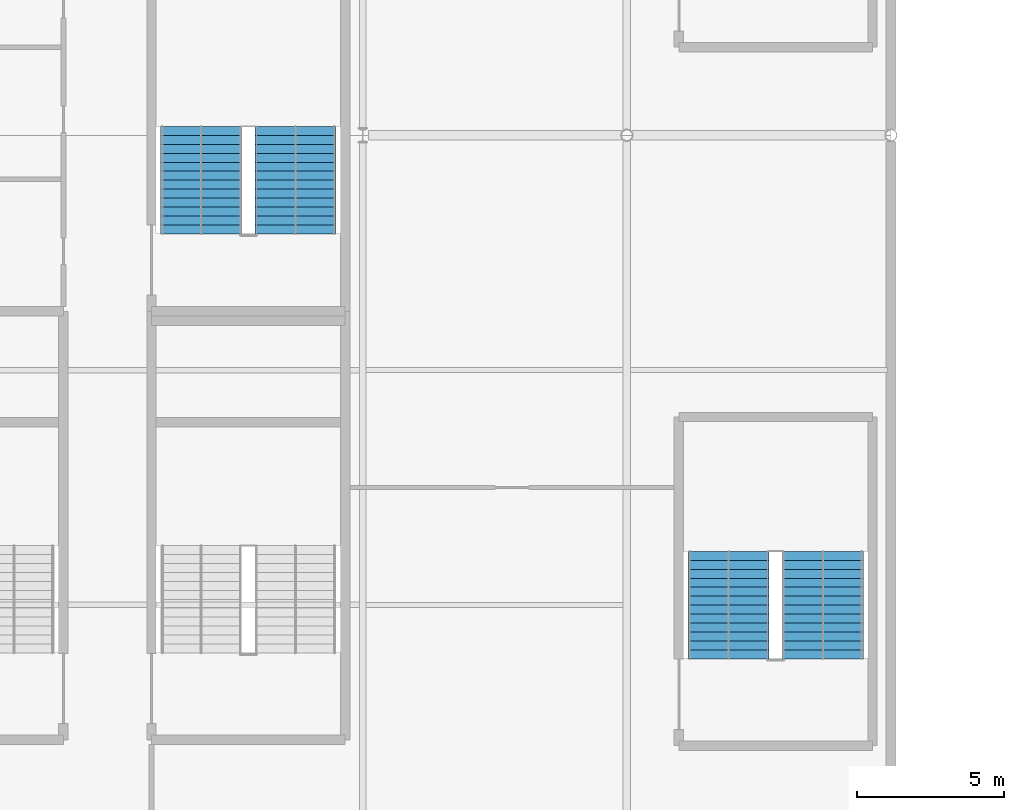
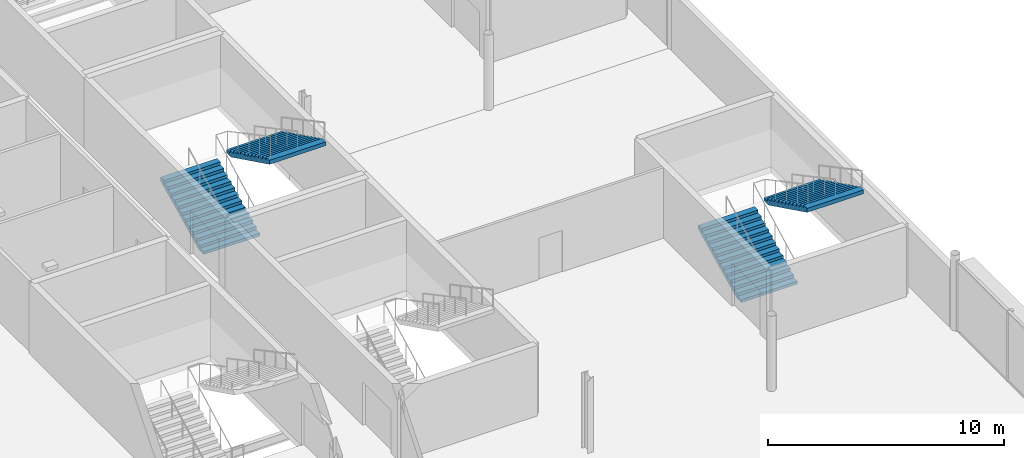
# One storey, part 81 of 96: 4 stair flights, 2 elements without a shape of their own.
"""IFC4 building model written with IfcOpenShell, lengths in metres."""

from ifc_helpers import new_model, si_unit, direction, frame, origin, place, context, subcontext, project, spatial, polygons, material, type_object, element, aggregate, save


model = new_model("IFC4")

# Units and contexts
model_context = context("Model", 3, precision=1e-05, world=origin(), true_north=direction((0.0, 1.0)))
body_context = subcontext(model_context, "Body", "Model", "MODEL_VIEW")
ifc_project = project(units=[si_unit("LENGTHUNIT", "METRE"), si_unit("AREAUNIT", "SQUARE_METRE"), si_unit("VOLUMEUNIT", "CUBIC_METRE"), si_unit("PLANEANGLEUNIT", "RADIAN"), si_unit("MASSUNIT", "GRAM", prefix="KILO")], contexts=[model_context])

# Site, building, storey
site_placement = place(None, origin())
site = spatial("IfcSite", under=ifc_project, at=site_placement, CompositionType="ELEMENT")
building_placement = place(site_placement, origin())
building = spatial("IfcBuilding", under=site, at=building_placement, Name="Kisiwana Market Hall", CompositionType="ELEMENT")
storey_placement = place(building_placement, frame((0.0, 0.0, 25.5)))
storey = spatial("IfcBuildingStorey", under=building, at=storey_placement, Name="L05", CompositionType="ELEMENT", Elevation=25.5)

# Stair, stair flights
ifc_material_1 = material(Name="Concrete C32/40", Category="concrete")
stair_type = type_object("IfcStairType", Name="ST-ESC-3900", PredefinedType="TWO_STRAIGHT_RUN_STAIR", material=ifc_material_1)
stair_1_placement = place(storey_placement, origin())
stair_1 = element("IfcStair", 1, at=stair_1_placement, inside=storey, type_object=stair_type, Name="Escape stair ST-W9-L05", PredefinedType="TWO_STRAIGHT_RUN_STAIR")
ifc_material_2 = material(Name="Concrete C32/40", Category="concrete")
stair_flight_type = type_object("IfcStairFlightType", Name="SF-ESC-3900", PredefinedType="STRAIGHT", material=ifc_material_2)
stair_flight_1_placement = place(storey_placement, frame((39.4599609375, 42.159912109375, 0.0), z_axis=(0.0, 0.0, 1.0), x_axis=(0.0, 1.0, 0.0)))
stair_flight_1 = element("IfcStairFlight", 2, at=stair_flight_1_placement, type_object=stair_flight_type, Name="ST-W9-L05 flight 1", NumberOfRisers=13, NumberOfTreads=12, PredefinedType="STRAIGHT", RiserHeight=0.15, TreadLength=0.305, context=body_context, shape_type="Tessellation", body=[
    polygons([(0.0, -1.380127, 0.0), (0.0, -0.690125, 0.0), (0.0, -0.000122, 0.0), (0.0, 0.68988, 0.0), (0.0, 1.379883, 0.0), (0.0, -1.380127, 0.149902), (0.0, -0.690125, 0.149902), (0.0, -0.000122, 0.149902), (0.0, 0.68988, 0.149902), (0.0, 1.379883, 0.149902), (0.304932, -1.380127, 0.149902), (0.304932, -0.690125, 0.149902), (0.304932, -0.000122, 0.149902), (0.304932, 0.68988, 0.149902), (0.304932, 1.379883, 0.149902), (0.304932, -1.380127, 0.300049), (0.304932, -0.690125, 0.300049), (0.304932, -0.000122, 0.300049), (0.304932, 0.68988, 0.300049), (0.304932, 1.379883, 0.300049), (0.610107, -1.380127, 0.300049), (0.610107, -0.690125, 0.300049), (0.610107, -0.000122, 0.300049), (0.610107, 0.68988, 0.300049), (0.610107, 1.379883, 0.300049), (0.610107, -1.380127, 0.449951), (0.610107, -0.690125, 0.449951), (0.610107, -0.000122, 0.449951), (0.610107, 0.68988, 0.449951), (0.610107, 1.379883, 0.449951), (0.915039, -1.380127, 0.449951), (0.915039, -0.690125, 0.449951), (0.915039, -0.000122, 0.449951), (0.915039, 0.68988, 0.449951), (0.915039, 1.379883, 0.449951), (0.915039, -1.380127, 0.600098), (0.915039, -0.690125, 0.600098), (0.915039, -0.000122, 0.600098), (0.915039, 0.68988, 0.600098), (0.915039, 1.379883, 0.600098), (1.219971, -1.380127, 0.600098), (1.219971, -0.690125, 0.600098), (1.219971, -0.000122, 0.600098), (1.219971, 0.68988, 0.600098), (1.219971, 1.379883, 0.600098), (1.219971, -1.380127, 0.75), (1.219971, -0.690125, 0.75), (1.219971, -0.000122, 0.75), (1.219971, 0.68988, 0.75), (1.219971, 1.379883, 0.75), (1.524902, -1.380127, 0.75), (1.524902, -0.690125, 0.75), (1.524902, -0.000122, 0.75), (1.524902, 0.68988, 0.75), (1.524902, 1.379883, 0.75), (1.524902, -1.380127, 0.899902), (1.524902, -0.690125, 0.899902), (1.524902, -0.000122, 0.899902), (1.524902, 0.68988, 0.899902), (1.524902, 1.379883, 0.899902), (1.830078, -1.380127, 0.899902), (1.830078, -0.690125, 0.899902), (1.830078, -0.000122, 0.899902), (1.830078, 0.68988, 0.899902), (1.830078, 1.379883, 0.899902), (1.830078, -1.380127, 1.050049), (1.830078, -0.690125, 1.050049), (1.830078, -0.000122, 1.050049), (1.830078, 0.68988, 1.050049), (1.830078, 1.379883, 1.050049), (2.13501, -1.380127, 1.050049), (2.13501, -0.690125, 1.050049), (2.13501, -0.000122, 1.050049), (2.13501, 0.68988, 1.050049), (2.13501, 1.379883, 1.050049), (2.13501, -1.380127, 1.199951), (2.13501, -0.690125, 1.199951), (2.13501, -0.000122, 1.199951), (2.13501, 0.68988, 1.199951), (2.13501, 1.379883, 1.199951), (2.439941, -1.380127, 1.199951), (2.439941, -0.690125, 1.199951), (2.439941, -0.000122, 1.199951), (2.439941, 0.68988, 1.199951), (2.439941, 1.379883, 1.199951), (2.439941, -1.380127, 1.350098), (2.439941, -0.690125, 1.350098), (2.439941, -0.000122, 1.350098), (2.439941, 0.68988, 1.350098), (2.439941, 1.379883, 1.350098), (2.745117, -1.380127, 1.350098), (2.745117, -0.690125, 1.350098), (2.745117, -0.000122, 1.350098), (2.745117, 0.68988, 1.350098), (2.745117, 1.379883, 1.350098), (2.745117, -1.380127, 1.5), (2.745117, -0.690125, 1.5), (2.745117, -0.000122, 1.5), (2.745117, 0.68988, 1.5), (2.745117, 1.379883, 1.5), (3.050049, -1.380127, 1.5), (3.050049, -0.690125, 1.5), (3.050049, -0.000122, 1.5), (3.050049, 0.68988, 1.5), (3.050049, 1.379883, 1.5), (3.050049, -1.380127, 1.649902), (3.050049, -0.690125, 1.649902), (3.050049, -0.000122, 1.649902), (3.050049, 0.68988, 1.649902), (3.050049, 1.379883, 1.649902), (3.35498, -1.380127, 1.649902), (3.35498, -0.690125, 1.649902), (3.35498, -0.000122, 1.649902), (3.35498, 0.68988, 1.649902), (3.35498, 1.379883, 1.649902), (3.35498, -1.380127, 1.800049), (3.35498, -0.690125, 1.800049), (3.35498, -0.000122, 1.800049), (3.35498, 0.68988, 1.800049), (3.35498, 1.379883, 1.800049), (3.659912, -1.380127, 1.800049), (3.659912, -0.690125, 1.800049), (3.659912, -0.000122, 1.800049), (3.659912, 0.68988, 1.800049), (3.659912, 1.379883, 1.800049), (3.659912, -1.380127, 1.599365), (3.659912, -0.690125, 1.599365), (3.659912, -0.000122, 1.599365), (3.659912, 0.68988, 1.599365), (3.659912, 1.379883, 1.599365), (0.407715, -1.380127, 0.0), (0.407715, -0.690125, 0.0), (0.407715, -0.000122, 0.0), (0.407715, 0.68988, 0.0), (0.407715, 1.379883, 0.0)], [[[1, 6, 7, 2]], [[2, 7, 8, 3]], [[3, 8, 9, 4]], [[4, 9, 10, 5]], [[6, 11, 12, 7]], [[7, 12, 13, 8]], [[8, 13, 14, 9]], [[9, 14, 15, 10]], [[11, 16, 17, 12]], [[12, 17, 18, 13]], [[13, 18, 19, 14]], [[14, 19, 20, 15]], [[16, 21, 22, 17]], [[17, 22, 23, 18]], [[18, 23, 24, 19]], [[19, 24, 25, 20]], [[21, 26, 27, 22]], [[22, 27, 28, 23]], [[23, 28, 29, 24]], [[24, 29, 30, 25]], [[26, 31, 32, 27]], [[27, 32, 33, 28]], [[28, 33, 34, 29]], [[29, 34, 35, 30]], [[31, 36, 37, 32]], [[32, 37, 38, 33]], [[33, 38, 39, 34]], [[34, 39, 40, 35]], [[36, 41, 42, 37]], [[37, 42, 43, 38]], [[38, 43, 44, 39]], [[39, 44, 45, 40]], [[41, 46, 47, 42]], [[42, 47, 48, 43]], [[43, 48, 49, 44]], [[44, 49, 50, 45]], [[46, 51, 52, 47]], [[47, 52, 53, 48]], [[48, 53, 54, 49]], [[49, 54, 55, 50]], [[51, 56, 57, 52]], [[52, 57, 58, 53]], [[53, 58, 59, 54]], [[54, 59, 60, 55]], [[56, 61, 62, 57]], [[57, 62, 63, 58]], [[58, 63, 64, 59]], [[59, 64, 65, 60]], [[61, 66, 67, 62]], [[62, 67, 68, 63]], [[63, 68, 69, 64]], [[64, 69, 70, 65]], [[66, 71, 72, 67]], [[67, 72, 73, 68]], [[68, 73, 74, 69]], [[69, 74, 75, 70]], [[71, 76, 77, 72]], [[72, 77, 78, 73]], [[73, 78, 79, 74]], [[74, 79, 80, 75]], [[76, 81, 82, 77]], [[77, 82, 83, 78]], [[78, 83, 84, 79]], [[79, 84, 85, 80]], [[81, 86, 87, 82]], [[82, 87, 88, 83]], [[83, 88, 89, 84]], [[84, 89, 90, 85]], [[86, 91, 92, 87]], [[87, 92, 93, 88]], [[88, 93, 94, 89]], [[89, 94, 95, 90]], [[91, 96, 97, 92]], [[92, 97, 98, 93]], [[93, 98, 99, 94]], [[94, 99, 100, 95]], [[96, 101, 102, 97]], [[97, 102, 103, 98]], [[98, 103, 104, 99]], [[99, 104, 105, 100]], [[101, 106, 107, 102]], [[102, 107, 108, 103]], [[103, 108, 109, 104]], [[104, 109, 110, 105]], [[106, 111, 112, 107]], [[107, 112, 113, 108]], [[108, 113, 114, 109]], [[109, 114, 115, 110]], [[111, 116, 117, 112]], [[112, 117, 118, 113]], [[113, 118, 119, 114]], [[114, 119, 120, 115]], [[116, 121, 122, 117]], [[117, 122, 123, 118]], [[118, 123, 124, 119]], [[119, 124, 125, 120]], [[121, 126, 127, 122]], [[122, 127, 128, 123]], [[123, 128, 129, 124]], [[124, 129, 130, 125]], [[126, 131, 132, 127]], [[127, 132, 133, 128]], [[128, 133, 134, 129]], [[129, 134, 135, 130]], [[131, 1, 2, 132]], [[132, 2, 3, 133]], [[133, 3, 4, 134]], [[134, 4, 5, 135]], [[131, 126, 121, 116, 111, 106, 101, 96, 91, 86, 81, 76, 71, 66, 61, 56, 51, 46, 41, 36, 31, 26, 21, 16, 11, 6, 1]], [[5, 10, 15, 20, 25, 30, 35, 40, 45, 50, 55, 60, 65, 70, 75, 80, 85, 90, 95, 100, 105, 110, 115, 120, 125, 130, 135]]], closed=True),
])
stair_flight_2_placement = place(storey_placement, frame((42.679931640625, 45.820068359375, 1.949951171875), z_axis=(0.0, 0.0, 1.0), x_axis=(0.0, -1.0, 0.0)))
stair_flight_2 = element("IfcStairFlight", 3, at=stair_flight_2_placement, type_object=stair_flight_type, Name="ST-W9-L05 flight 2", NumberOfRisers=13, NumberOfTreads=12, PredefinedType="STRAIGHT", RiserHeight=0.15, TreadLength=0.305, context=body_context, shape_type="Tessellation", body=[
    polygons([(0.0, -1.380127, 0.0), (0.0, -0.690125, 0.0), (0.0, -0.000122, 0.0), (0.0, 0.68988, 0.0), (0.0, 1.379883, 0.0), (0.0, -1.380127, 0.149902), (0.0, -0.690125, 0.149902), (0.0, -0.000122, 0.149902), (0.0, 0.68988, 0.149902), (0.0, 1.379883, 0.149902), (0.304932, -1.380127, 0.149902), (0.304932, -0.690125, 0.149902), (0.304932, -0.000122, 0.149902), (0.304932, 0.68988, 0.149902), (0.304932, 1.379883, 0.149902), (0.304932, -1.380127, 0.300049), (0.304932, -0.690125, 0.300049), (0.304932, -0.000122, 0.300049), (0.304932, 0.68988, 0.300049), (0.304932, 1.379883, 0.300049), (0.610107, -1.380127, 0.300049), (0.610107, -0.690125, 0.300049), (0.610107, -0.000122, 0.300049), (0.610107, 0.68988, 0.300049), (0.610107, 1.379883, 0.300049), (0.610107, -1.380127, 0.449951), (0.610107, -0.690125, 0.449951), (0.610107, -0.000122, 0.449951), (0.610107, 0.68988, 0.449951), (0.610107, 1.379883, 0.449951), (0.915039, -1.380127, 0.449951), (0.915039, -0.690125, 0.449951), (0.915039, -0.000122, 0.449951), (0.915039, 0.68988, 0.449951), (0.915039, 1.379883, 0.449951), (0.915039, -1.380127, 0.600098), (0.915039, -0.690125, 0.600098), (0.915039, -0.000122, 0.600098), (0.915039, 0.68988, 0.600098), (0.915039, 1.379883, 0.600098), (1.219971, -1.380127, 0.600098), (1.219971, -0.690125, 0.600098), (1.219971, -0.000122, 0.600098), (1.219971, 0.68988, 0.600098), (1.219971, 1.379883, 0.600098), (1.219971, -1.380127, 0.75), (1.219971, -0.690125, 0.75), (1.219971, -0.000122, 0.75), (1.219971, 0.68988, 0.75), (1.219971, 1.379883, 0.75), (1.524902, -1.380127, 0.75), (1.524902, -0.690125, 0.75), (1.524902, -0.000122, 0.75), (1.524902, 0.68988, 0.75), (1.524902, 1.379883, 0.75), (1.524902, -1.380127, 0.899902), (1.524902, -0.690125, 0.899902), (1.524902, -0.000122, 0.899902), (1.524902, 0.68988, 0.899902), (1.524902, 1.379883, 0.899902), (1.830078, -1.380127, 0.899902), (1.830078, -0.690125, 0.899902), (1.830078, -0.000122, 0.899902), (1.830078, 0.68988, 0.899902), (1.830078, 1.379883, 0.899902), (1.830078, -1.380127, 1.050049), (1.830078, -0.690125, 1.050049), (1.830078, -0.000122, 1.050049), (1.830078, 0.68988, 1.050049), (1.830078, 1.379883, 1.050049), (2.13501, -1.380127, 1.050049), (2.13501, -0.690125, 1.050049), (2.13501, -0.000122, 1.050049), (2.13501, 0.68988, 1.050049), (2.13501, 1.379883, 1.050049), (2.13501, -1.380127, 1.199951), (2.13501, -0.690125, 1.199951), (2.13501, -0.000122, 1.199951), (2.13501, 0.68988, 1.199951), (2.13501, 1.379883, 1.199951), (2.439941, -1.380127, 1.199951), (2.439941, -0.690125, 1.199951), (2.439941, -0.000122, 1.199951), (2.439941, 0.68988, 1.199951), (2.439941, 1.379883, 1.199951), (2.439941, -1.380127, 1.350098), (2.439941, -0.690125, 1.350098), (2.439941, -0.000122, 1.350098), (2.439941, 0.68988, 1.350098), (2.439941, 1.379883, 1.350098), (2.745117, -1.380127, 1.350098), (2.745117, -0.690125, 1.350098), (2.745117, -0.000122, 1.350098), (2.745117, 0.68988, 1.350098), (2.745117, 1.379883, 1.350098), (2.745117, -1.380127, 1.5), (2.745117, -0.690125, 1.5), (2.745117, -0.000122, 1.5), (2.745117, 0.68988, 1.5), (2.745117, 1.379883, 1.5), (3.050049, -1.380127, 1.5), (3.050049, -0.690125, 1.5), (3.050049, -0.000122, 1.5), (3.050049, 0.68988, 1.5), (3.050049, 1.379883, 1.5), (3.050049, -1.380127, 1.649902), (3.050049, -0.690125, 1.649902), (3.050049, -0.000122, 1.649902), (3.050049, 0.68988, 1.649902), (3.050049, 1.379883, 1.649902), (3.35498, -1.380127, 1.649902), (3.35498, -0.690125, 1.649902), (3.35498, -0.000122, 1.649902), (3.35498, 0.68988, 1.649902), (3.35498, 1.379883, 1.649902), (3.35498, -1.380127, 1.800049), (3.35498, -0.690125, 1.800049), (3.35498, -0.000122, 1.800049), (3.35498, 0.68988, 1.800049), (3.35498, 1.379883, 1.800049), (3.659912, -1.380127, 1.800049), (3.659912, -0.690125, 1.800049), (3.659912, -0.000122, 1.800049), (3.659912, 0.68988, 1.800049), (3.659912, 1.379883, 1.800049), (3.659912, -1.380127, 1.599365), (3.659912, -0.690125, 1.599365), (3.659912, -0.000122, 1.599365), (3.659912, 0.68988, 1.599365), (3.659912, 1.379883, 1.599365), (0.407715, -1.380127, 0.0), (0.407715, -0.690125, 0.0), (0.407715, -0.000122, 0.0), (0.407715, 0.68988, 0.0), (0.407715, 1.379883, 0.0)], [[[1, 6, 7, 2]], [[2, 7, 8, 3]], [[3, 8, 9, 4]], [[4, 9, 10, 5]], [[6, 11, 12, 7]], [[7, 12, 13, 8]], [[8, 13, 14, 9]], [[9, 14, 15, 10]], [[11, 16, 17, 12]], [[12, 17, 18, 13]], [[13, 18, 19, 14]], [[14, 19, 20, 15]], [[16, 21, 22, 17]], [[17, 22, 23, 18]], [[18, 23, 24, 19]], [[19, 24, 25, 20]], [[21, 26, 27, 22]], [[22, 27, 28, 23]], [[23, 28, 29, 24]], [[24, 29, 30, 25]], [[26, 31, 32, 27]], [[27, 32, 33, 28]], [[28, 33, 34, 29]], [[29, 34, 35, 30]], [[31, 36, 37, 32]], [[32, 37, 38, 33]], [[33, 38, 39, 34]], [[34, 39, 40, 35]], [[36, 41, 42, 37]], [[37, 42, 43, 38]], [[38, 43, 44, 39]], [[39, 44, 45, 40]], [[41, 46, 47, 42]], [[42, 47, 48, 43]], [[43, 48, 49, 44]], [[44, 49, 50, 45]], [[46, 51, 52, 47]], [[47, 52, 53, 48]], [[48, 53, 54, 49]], [[49, 54, 55, 50]], [[51, 56, 57, 52]], [[52, 57, 58, 53]], [[53, 58, 59, 54]], [[54, 59, 60, 55]], [[56, 61, 62, 57]], [[57, 62, 63, 58]], [[58, 63, 64, 59]], [[59, 64, 65, 60]], [[61, 66, 67, 62]], [[62, 67, 68, 63]], [[63, 68, 69, 64]], [[64, 69, 70, 65]], [[66, 71, 72, 67]], [[67, 72, 73, 68]], [[68, 73, 74, 69]], [[69, 74, 75, 70]], [[71, 76, 77, 72]], [[72, 77, 78, 73]], [[73, 78, 79, 74]], [[74, 79, 80, 75]], [[76, 81, 82, 77]], [[77, 82, 83, 78]], [[78, 83, 84, 79]], [[79, 84, 85, 80]], [[81, 86, 87, 82]], [[82, 87, 88, 83]], [[83, 88, 89, 84]], [[84, 89, 90, 85]], [[86, 91, 92, 87]], [[87, 92, 93, 88]], [[88, 93, 94, 89]], [[89, 94, 95, 90]], [[91, 96, 97, 92]], [[92, 97, 98, 93]], [[93, 98, 99, 94]], [[94, 99, 100, 95]], [[96, 101, 102, 97]], [[97, 102, 103, 98]], [[98, 103, 104, 99]], [[99, 104, 105, 100]], [[101, 106, 107, 102]], [[102, 107, 108, 103]], [[103, 108, 109, 104]], [[104, 109, 110, 105]], [[106, 111, 112, 107]], [[107, 112, 113, 108]], [[108, 113, 114, 109]], [[109, 114, 115, 110]], [[111, 116, 117, 112]], [[112, 117, 118, 113]], [[113, 118, 119, 114]], [[114, 119, 120, 115]], [[116, 121, 122, 117]], [[117, 122, 123, 118]], [[118, 123, 124, 119]], [[119, 124, 125, 120]], [[121, 126, 127, 122]], [[122, 127, 128, 123]], [[123, 128, 129, 124]], [[124, 129, 130, 125]], [[126, 131, 132, 127]], [[127, 132, 133, 128]], [[128, 133, 134, 129]], [[129, 134, 135, 130]], [[131, 1, 2, 132]], [[132, 2, 3, 133]], [[133, 3, 4, 134]], [[134, 4, 5, 135]], [[131, 126, 121, 116, 111, 106, 101, 96, 91, 86, 81, 76, 71, 66, 61, 56, 51, 46, 41, 36, 31, 26, 21, 16, 11, 6, 1]], [[5, 10, 15, 20, 25, 30, 35, 40, 45, 50, 55, 60, 65, 70, 75, 80, 85, 90, 95, 100, 105, 110, 115, 120, 125, 130, 135]]], closed=True),
])
aggregate(stair_1, [stair_flight_1, stair_flight_2])

stair_2_placement = place(storey_placement, origin())
stair_2 = element("IfcStair", 4, at=stair_2_placement, inside=storey, type_object=stair_type, Name="Escape stair ST-W5-L05", PredefinedType="TWO_STRAIGHT_RUN_STAIR")
stair_flight_3_placement = place(storey_placement, frame((21.489990234375, 56.639892578125, 0.0), z_axis=(0.0, 0.0, 1.0), x_axis=(0.0, 1.0, 0.0)))
stair_flight_3 = element("IfcStairFlight", 5, at=stair_flight_3_placement, type_object=stair_flight_type, Name="ST-W5-L05 flight 1", NumberOfRisers=13, NumberOfTreads=12, PredefinedType="STRAIGHT", RiserHeight=0.15, TreadLength=0.305, context=body_context, shape_type="Tessellation", body=[
    polygons([(0.0, -1.380127, 0.0), (0.0, -0.690125, 0.0), (0.0, -0.000122, 0.0), (0.0, 0.68988, 0.0), (0.0, 1.379883, 0.0), (0.0, -1.380127, 0.149902), (0.0, -0.690125, 0.149902), (0.0, -0.000122, 0.149902), (0.0, 0.68988, 0.149902), (0.0, 1.379883, 0.149902), (0.304932, -1.380127, 0.149902), (0.304932, -0.690125, 0.149902), (0.304932, -0.000122, 0.149902), (0.304932, 0.68988, 0.149902), (0.304932, 1.379883, 0.149902), (0.304932, -1.380127, 0.300049), (0.304932, -0.690125, 0.300049), (0.304932, -0.000122, 0.300049), (0.304932, 0.68988, 0.300049), (0.304932, 1.379883, 0.300049), (0.610107, -1.380127, 0.300049), (0.610107, -0.690125, 0.300049), (0.610107, -0.000122, 0.300049), (0.610107, 0.68988, 0.300049), (0.610107, 1.379883, 0.300049), (0.610107, -1.380127, 0.449951), (0.610107, -0.690125, 0.449951), (0.610107, -0.000122, 0.449951), (0.610107, 0.68988, 0.449951), (0.610107, 1.379883, 0.449951), (0.915039, -1.380127, 0.449951), (0.915039, -0.690125, 0.449951), (0.915039, -0.000122, 0.449951), (0.915039, 0.68988, 0.449951), (0.915039, 1.379883, 0.449951), (0.915039, -1.380127, 0.600098), (0.915039, -0.690125, 0.600098), (0.915039, -0.000122, 0.600098), (0.915039, 0.68988, 0.600098), (0.915039, 1.379883, 0.600098), (1.219971, -1.380127, 0.600098), (1.219971, -0.690125, 0.600098), (1.219971, -0.000122, 0.600098), (1.219971, 0.68988, 0.600098), (1.219971, 1.379883, 0.600098), (1.219971, -1.380127, 0.75), (1.219971, -0.690125, 0.75), (1.219971, -0.000122, 0.75), (1.219971, 0.68988, 0.75), (1.219971, 1.379883, 0.75), (1.524902, -1.380127, 0.75), (1.524902, -0.690125, 0.75), (1.524902, -0.000122, 0.75), (1.524902, 0.68988, 0.75), (1.524902, 1.379883, 0.75), (1.524902, -1.380127, 0.899902), (1.524902, -0.690125, 0.899902), (1.524902, -0.000122, 0.899902), (1.524902, 0.68988, 0.899902), (1.524902, 1.379883, 0.899902), (1.830078, -1.380127, 0.899902), (1.830078, -0.690125, 0.899902), (1.830078, -0.000122, 0.899902), (1.830078, 0.68988, 0.899902), (1.830078, 1.379883, 0.899902), (1.830078, -1.380127, 1.050049), (1.830078, -0.690125, 1.050049), (1.830078, -0.000122, 1.050049), (1.830078, 0.68988, 1.050049), (1.830078, 1.379883, 1.050049), (2.13501, -1.380127, 1.050049), (2.13501, -0.690125, 1.050049), (2.13501, -0.000122, 1.050049), (2.13501, 0.68988, 1.050049), (2.13501, 1.379883, 1.050049), (2.13501, -1.380127, 1.199951), (2.13501, -0.690125, 1.199951), (2.13501, -0.000122, 1.199951), (2.13501, 0.68988, 1.199951), (2.13501, 1.379883, 1.199951), (2.439941, -1.380127, 1.199951), (2.439941, -0.690125, 1.199951), (2.439941, -0.000122, 1.199951), (2.439941, 0.68988, 1.199951), (2.439941, 1.379883, 1.199951), (2.439941, -1.380127, 1.350098), (2.439941, -0.690125, 1.350098), (2.439941, -0.000122, 1.350098), (2.439941, 0.68988, 1.350098), (2.439941, 1.379883, 1.350098), (2.745117, -1.380127, 1.350098), (2.745117, -0.690125, 1.350098), (2.745117, -0.000122, 1.350098), (2.745117, 0.68988, 1.350098), (2.745117, 1.379883, 1.350098), (2.745117, -1.380127, 1.5), (2.745117, -0.690125, 1.5), (2.745117, -0.000122, 1.5), (2.745117, 0.68988, 1.5), (2.745117, 1.379883, 1.5), (3.050049, -1.380127, 1.5), (3.050049, -0.690125, 1.5), (3.050049, -0.000122, 1.5), (3.050049, 0.68988, 1.5), (3.050049, 1.379883, 1.5), (3.050049, -1.380127, 1.649902), (3.050049, -0.690125, 1.649902), (3.050049, -0.000122, 1.649902), (3.050049, 0.68988, 1.649902), (3.050049, 1.379883, 1.649902), (3.35498, -1.380127, 1.649902), (3.35498, -0.690125, 1.649902), (3.35498, -0.000122, 1.649902), (3.35498, 0.68988, 1.649902), (3.35498, 1.379883, 1.649902), (3.35498, -1.380127, 1.800049), (3.35498, -0.690125, 1.800049), (3.35498, -0.000122, 1.800049), (3.35498, 0.68988, 1.800049), (3.35498, 1.379883, 1.800049), (3.659912, -1.380127, 1.800049), (3.659912, -0.690125, 1.800049), (3.659912, -0.000122, 1.800049), (3.659912, 0.68988, 1.800049), (3.659912, 1.379883, 1.800049), (3.659912, -1.380127, 1.599365), (3.659912, -0.690125, 1.599365), (3.659912, -0.000122, 1.599365), (3.659912, 0.68988, 1.599365), (3.659912, 1.379883, 1.599365), (0.407715, -1.380127, 0.0), (0.407715, -0.690125, 0.0), (0.407715, -0.000122, 0.0), (0.407715, 0.68988, 0.0), (0.407715, 1.379883, 0.0)], [[[1, 6, 7, 2]], [[2, 7, 8, 3]], [[3, 8, 9, 4]], [[4, 9, 10, 5]], [[6, 11, 12, 7]], [[7, 12, 13, 8]], [[8, 13, 14, 9]], [[9, 14, 15, 10]], [[11, 16, 17, 12]], [[12, 17, 18, 13]], [[13, 18, 19, 14]], [[14, 19, 20, 15]], [[16, 21, 22, 17]], [[17, 22, 23, 18]], [[18, 23, 24, 19]], [[19, 24, 25, 20]], [[21, 26, 27, 22]], [[22, 27, 28, 23]], [[23, 28, 29, 24]], [[24, 29, 30, 25]], [[26, 31, 32, 27]], [[27, 32, 33, 28]], [[28, 33, 34, 29]], [[29, 34, 35, 30]], [[31, 36, 37, 32]], [[32, 37, 38, 33]], [[33, 38, 39, 34]], [[34, 39, 40, 35]], [[36, 41, 42, 37]], [[37, 42, 43, 38]], [[38, 43, 44, 39]], [[39, 44, 45, 40]], [[41, 46, 47, 42]], [[42, 47, 48, 43]], [[43, 48, 49, 44]], [[44, 49, 50, 45]], [[46, 51, 52, 47]], [[47, 52, 53, 48]], [[48, 53, 54, 49]], [[49, 54, 55, 50]], [[51, 56, 57, 52]], [[52, 57, 58, 53]], [[53, 58, 59, 54]], [[54, 59, 60, 55]], [[56, 61, 62, 57]], [[57, 62, 63, 58]], [[58, 63, 64, 59]], [[59, 64, 65, 60]], [[61, 66, 67, 62]], [[62, 67, 68, 63]], [[63, 68, 69, 64]], [[64, 69, 70, 65]], [[66, 71, 72, 67]], [[67, 72, 73, 68]], [[68, 73, 74, 69]], [[69, 74, 75, 70]], [[71, 76, 77, 72]], [[72, 77, 78, 73]], [[73, 78, 79, 74]], [[74, 79, 80, 75]], [[76, 81, 82, 77]], [[77, 82, 83, 78]], [[78, 83, 84, 79]], [[79, 84, 85, 80]], [[81, 86, 87, 82]], [[82, 87, 88, 83]], [[83, 88, 89, 84]], [[84, 89, 90, 85]], [[86, 91, 92, 87]], [[87, 92, 93, 88]], [[88, 93, 94, 89]], [[89, 94, 95, 90]], [[91, 96, 97, 92]], [[92, 97, 98, 93]], [[93, 98, 99, 94]], [[94, 99, 100, 95]], [[96, 101, 102, 97]], [[97, 102, 103, 98]], [[98, 103, 104, 99]], [[99, 104, 105, 100]], [[101, 106, 107, 102]], [[102, 107, 108, 103]], [[103, 108, 109, 104]], [[104, 109, 110, 105]], [[106, 111, 112, 107]], [[107, 112, 113, 108]], [[108, 113, 114, 109]], [[109, 114, 115, 110]], [[111, 116, 117, 112]], [[112, 117, 118, 113]], [[113, 118, 119, 114]], [[114, 119, 120, 115]], [[116, 121, 122, 117]], [[117, 122, 123, 118]], [[118, 123, 124, 119]], [[119, 124, 125, 120]], [[121, 126, 127, 122]], [[122, 127, 128, 123]], [[123, 128, 129, 124]], [[124, 129, 130, 125]], [[126, 131, 132, 127]], [[127, 132, 133, 128]], [[128, 133, 134, 129]], [[129, 134, 135, 130]], [[131, 1, 2, 132]], [[132, 2, 3, 133]], [[133, 3, 4, 134]], [[134, 4, 5, 135]], [[131, 126, 121, 116, 111, 106, 101, 96, 91, 86, 81, 76, 71, 66, 61, 56, 51, 46, 41, 36, 31, 26, 21, 16, 11, 6, 1]], [[5, 10, 15, 20, 25, 30, 35, 40, 45, 50, 55, 60, 65, 70, 75, 80, 85, 90, 95, 100, 105, 110, 115, 120, 125, 130, 135]]], closed=True),
])
stair_flight_4_placement = place(storey_placement, frame((24.7099609375, 60.300048828125, 1.949951171875), z_axis=(0.0, 0.0, 1.0), x_axis=(0.0, -1.0, 0.0)))
stair_flight_4 = element("IfcStairFlight", 6, at=stair_flight_4_placement, type_object=stair_flight_type, Name="ST-W5-L05 flight 2", NumberOfRisers=13, NumberOfTreads=12, PredefinedType="STRAIGHT", RiserHeight=0.15, TreadLength=0.305, context=body_context, shape_type="Tessellation", body=[
    polygons([(0.0, -1.380127, 0.0), (0.0, -0.690125, 0.0), (0.0, -0.000122, 0.0), (0.0, 0.68988, 0.0), (0.0, 1.379883, 0.0), (0.0, -1.380127, 0.149902), (0.0, -0.690125, 0.149902), (0.0, -0.000122, 0.149902), (0.0, 0.68988, 0.149902), (0.0, 1.379883, 0.149902), (0.304932, -1.380127, 0.149902), (0.304932, -0.690125, 0.149902), (0.304932, -0.000122, 0.149902), (0.304932, 0.68988, 0.149902), (0.304932, 1.379883, 0.149902), (0.304932, -1.380127, 0.300049), (0.304932, -0.690125, 0.300049), (0.304932, -0.000122, 0.300049), (0.304932, 0.68988, 0.300049), (0.304932, 1.379883, 0.300049), (0.610107, -1.380127, 0.300049), (0.610107, -0.690125, 0.300049), (0.610107, -0.000122, 0.300049), (0.610107, 0.68988, 0.300049), (0.610107, 1.379883, 0.300049), (0.610107, -1.380127, 0.449951), (0.610107, -0.690125, 0.449951), (0.610107, -0.000122, 0.449951), (0.610107, 0.68988, 0.449951), (0.610107, 1.379883, 0.449951), (0.915039, -1.380127, 0.449951), (0.915039, -0.690125, 0.449951), (0.915039, -0.000122, 0.449951), (0.915039, 0.68988, 0.449951), (0.915039, 1.379883, 0.449951), (0.915039, -1.380127, 0.600098), (0.915039, -0.690125, 0.600098), (0.915039, -0.000122, 0.600098), (0.915039, 0.68988, 0.600098), (0.915039, 1.379883, 0.600098), (1.219971, -1.380127, 0.600098), (1.219971, -0.690125, 0.600098), (1.219971, -0.000122, 0.600098), (1.219971, 0.68988, 0.600098), (1.219971, 1.379883, 0.600098), (1.219971, -1.380127, 0.75), (1.219971, -0.690125, 0.75), (1.219971, -0.000122, 0.75), (1.219971, 0.68988, 0.75), (1.219971, 1.379883, 0.75), (1.524902, -1.380127, 0.75), (1.524902, -0.690125, 0.75), (1.524902, -0.000122, 0.75), (1.524902, 0.68988, 0.75), (1.524902, 1.379883, 0.75), (1.524902, -1.380127, 0.899902), (1.524902, -0.690125, 0.899902), (1.524902, -0.000122, 0.899902), (1.524902, 0.68988, 0.899902), (1.524902, 1.379883, 0.899902), (1.830078, -1.380127, 0.899902), (1.830078, -0.690125, 0.899902), (1.830078, -0.000122, 0.899902), (1.830078, 0.68988, 0.899902), (1.830078, 1.379883, 0.899902), (1.830078, -1.380127, 1.050049), (1.830078, -0.690125, 1.050049), (1.830078, -0.000122, 1.050049), (1.830078, 0.68988, 1.050049), (1.830078, 1.379883, 1.050049), (2.13501, -1.380127, 1.050049), (2.13501, -0.690125, 1.050049), (2.13501, -0.000122, 1.050049), (2.13501, 0.68988, 1.050049), (2.13501, 1.379883, 1.050049), (2.13501, -1.380127, 1.199951), (2.13501, -0.690125, 1.199951), (2.13501, -0.000122, 1.199951), (2.13501, 0.68988, 1.199951), (2.13501, 1.379883, 1.199951), (2.439941, -1.380127, 1.199951), (2.439941, -0.690125, 1.199951), (2.439941, -0.000122, 1.199951), (2.439941, 0.68988, 1.199951), (2.439941, 1.379883, 1.199951), (2.439941, -1.380127, 1.350098), (2.439941, -0.690125, 1.350098), (2.439941, -0.000122, 1.350098), (2.439941, 0.68988, 1.350098), (2.439941, 1.379883, 1.350098), (2.745117, -1.380127, 1.350098), (2.745117, -0.690125, 1.350098), (2.745117, -0.000122, 1.350098), (2.745117, 0.68988, 1.350098), (2.745117, 1.379883, 1.350098), (2.745117, -1.380127, 1.5), (2.745117, -0.690125, 1.5), (2.745117, -0.000122, 1.5), (2.745117, 0.68988, 1.5), (2.745117, 1.379883, 1.5), (3.050049, -1.380127, 1.5), (3.050049, -0.690125, 1.5), (3.050049, -0.000122, 1.5), (3.050049, 0.68988, 1.5), (3.050049, 1.379883, 1.5), (3.050049, -1.380127, 1.649902), (3.050049, -0.690125, 1.649902), (3.050049, -0.000122, 1.649902), (3.050049, 0.68988, 1.649902), (3.050049, 1.379883, 1.649902), (3.35498, -1.380127, 1.649902), (3.35498, -0.690125, 1.649902), (3.35498, -0.000122, 1.649902), (3.35498, 0.68988, 1.649902), (3.35498, 1.379883, 1.649902), (3.35498, -1.380127, 1.800049), (3.35498, -0.690125, 1.800049), (3.35498, -0.000122, 1.800049), (3.35498, 0.68988, 1.800049), (3.35498, 1.379883, 1.800049), (3.659912, -1.380127, 1.800049), (3.659912, -0.690125, 1.800049), (3.659912, -0.000122, 1.800049), (3.659912, 0.68988, 1.800049), (3.659912, 1.379883, 1.800049), (3.659912, -1.380127, 1.599365), (3.659912, -0.690125, 1.599365), (3.659912, -0.000122, 1.599365), (3.659912, 0.68988, 1.599365), (3.659912, 1.379883, 1.599365), (0.407715, -1.380127, 0.0), (0.407715, -0.690125, 0.0), (0.407715, -0.000122, 0.0), (0.407715, 0.68988, 0.0), (0.407715, 1.379883, 0.0)], [[[1, 6, 7, 2]], [[2, 7, 8, 3]], [[3, 8, 9, 4]], [[4, 9, 10, 5]], [[6, 11, 12, 7]], [[7, 12, 13, 8]], [[8, 13, 14, 9]], [[9, 14, 15, 10]], [[11, 16, 17, 12]], [[12, 17, 18, 13]], [[13, 18, 19, 14]], [[14, 19, 20, 15]], [[16, 21, 22, 17]], [[17, 22, 23, 18]], [[18, 23, 24, 19]], [[19, 24, 25, 20]], [[21, 26, 27, 22]], [[22, 27, 28, 23]], [[23, 28, 29, 24]], [[24, 29, 30, 25]], [[26, 31, 32, 27]], [[27, 32, 33, 28]], [[28, 33, 34, 29]], [[29, 34, 35, 30]], [[31, 36, 37, 32]], [[32, 37, 38, 33]], [[33, 38, 39, 34]], [[34, 39, 40, 35]], [[36, 41, 42, 37]], [[37, 42, 43, 38]], [[38, 43, 44, 39]], [[39, 44, 45, 40]], [[41, 46, 47, 42]], [[42, 47, 48, 43]], [[43, 48, 49, 44]], [[44, 49, 50, 45]], [[46, 51, 52, 47]], [[47, 52, 53, 48]], [[48, 53, 54, 49]], [[49, 54, 55, 50]], [[51, 56, 57, 52]], [[52, 57, 58, 53]], [[53, 58, 59, 54]], [[54, 59, 60, 55]], [[56, 61, 62, 57]], [[57, 62, 63, 58]], [[58, 63, 64, 59]], [[59, 64, 65, 60]], [[61, 66, 67, 62]], [[62, 67, 68, 63]], [[63, 68, 69, 64]], [[64, 69, 70, 65]], [[66, 71, 72, 67]], [[67, 72, 73, 68]], [[68, 73, 74, 69]], [[69, 74, 75, 70]], [[71, 76, 77, 72]], [[72, 77, 78, 73]], [[73, 78, 79, 74]], [[74, 79, 80, 75]], [[76, 81, 82, 77]], [[77, 82, 83, 78]], [[78, 83, 84, 79]], [[79, 84, 85, 80]], [[81, 86, 87, 82]], [[82, 87, 88, 83]], [[83, 88, 89, 84]], [[84, 89, 90, 85]], [[86, 91, 92, 87]], [[87, 92, 93, 88]], [[88, 93, 94, 89]], [[89, 94, 95, 90]], [[91, 96, 97, 92]], [[92, 97, 98, 93]], [[93, 98, 99, 94]], [[94, 99, 100, 95]], [[96, 101, 102, 97]], [[97, 102, 103, 98]], [[98, 103, 104, 99]], [[99, 104, 105, 100]], [[101, 106, 107, 102]], [[102, 107, 108, 103]], [[103, 108, 109, 104]], [[104, 109, 110, 105]], [[106, 111, 112, 107]], [[107, 112, 113, 108]], [[108, 113, 114, 109]], [[109, 114, 115, 110]], [[111, 116, 117, 112]], [[112, 117, 118, 113]], [[113, 118, 119, 114]], [[114, 119, 120, 115]], [[116, 121, 122, 117]], [[117, 122, 123, 118]], [[118, 123, 124, 119]], [[119, 124, 125, 120]], [[121, 126, 127, 122]], [[122, 127, 128, 123]], [[123, 128, 129, 124]], [[124, 129, 130, 125]], [[126, 131, 132, 127]], [[127, 132, 133, 128]], [[128, 133, 134, 129]], [[129, 134, 135, 130]], [[131, 1, 2, 132]], [[132, 2, 3, 133]], [[133, 3, 4, 134]], [[134, 4, 5, 135]], [[131, 126, 121, 116, 111, 106, 101, 96, 91, 86, 81, 76, 71, 66, 61, 56, 51, 46, 41, 36, 31, 26, 21, 16, 11, 6, 1]], [[5, 10, 15, 20, 25, 30, 35, 40, 45, 50, 55, 60, 65, 70, 75, 80, 85, 90, 95, 100, 105, 110, 115, 120, 125, 130, 135]]], closed=True),
])
aggregate(stair_2, [stair_flight_3, stair_flight_4])

save(model, "model.ifc")
